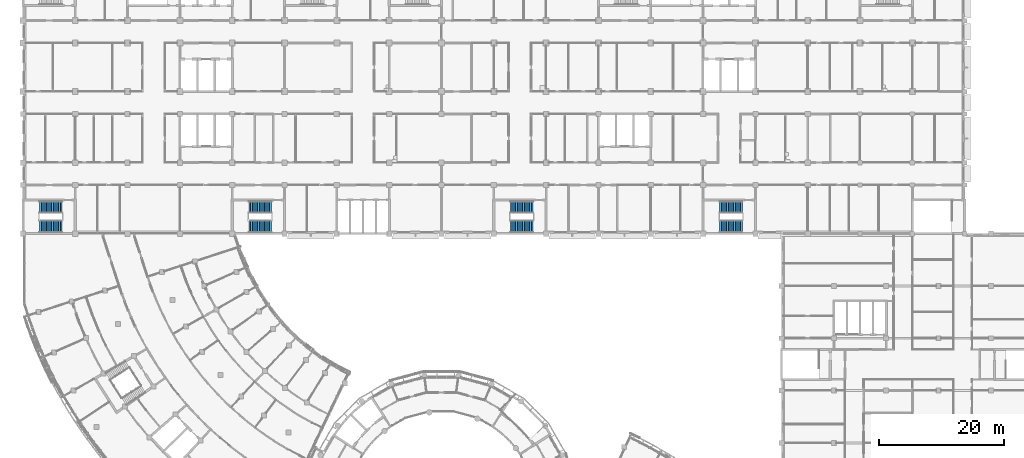
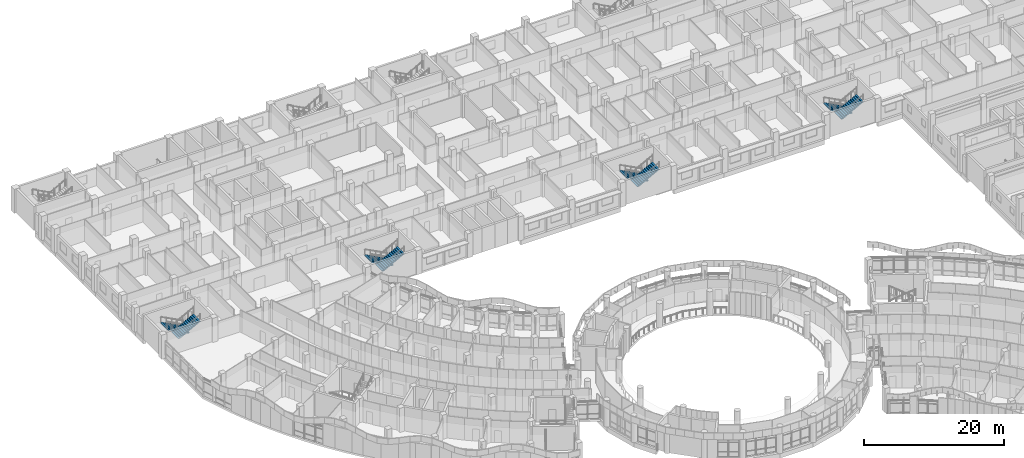
# One storey, part 77 of 109: 8 stair flights, 4 elements without a shape of their own.
"""IFC4 building model written with IfcOpenShell, lengths in metres."""

from ifc_helpers import new_model, si_unit, direction, frame, origin, place, context, subcontext, project, spatial, polyline, outline, extrude, material, type_object, element, aggregate, save


model = new_model("IFC4")

# Units and contexts
model_context = context("Model", 3, precision=1e-05, world=origin(), true_north=direction((0.0, 1.0)))
body_context = subcontext(model_context, "Body", "Model", "MODEL_VIEW")
ifc_project = project(units=[si_unit("LENGTHUNIT", "METRE"), si_unit("AREAUNIT", "SQUARE_METRE"), si_unit("VOLUMEUNIT", "CUBIC_METRE"), si_unit("PLANEANGLEUNIT", "RADIAN"), si_unit("MASSUNIT", "GRAM", prefix="KILO")], contexts=[model_context])

# Site, building, storey
site_placement = place(None, origin())
site = spatial("IfcSite", under=ifc_project, at=site_placement, CompositionType="ELEMENT")
building_placement = place(site_placement, origin())
building = spatial("IfcBuilding", under=site, at=building_placement, Name="Bougainvillea Quay General Hospital", CompositionType="ELEMENT")
storey_placement = place(building_placement, frame((0.0, 0.0, 12.60009765625)))
storey = spatial("IfcBuildingStorey", under=building, at=storey_placement, Name="L02", CompositionType="ELEMENT", Elevation=12.60009765625)

# Stair, stair flights
ifc_material = material(Name="Concrete C35", Category="concrete")
stair_type = type_object("IfcStairType", Name="Stair half-turn 1925 wide", PredefinedType="HALF_TURN_STAIR", material=ifc_material)
stair_1_placement = place(storey_placement, origin())
stair_1 = element("IfcStair", 1, at=stair_1_placement, inside=storey, type_object=stair_type, Name="L02 stair ST-B1", PredefinedType="HALF_TURN_STAIR")
stair_flight_type = type_object("IfcStairFlightType", Name="Stair flight 1925", PredefinedType="STRAIGHT", material=ifc_material)
stair_flight_1_placement = place(storey_placement, frame((48.300048828125, 121.862548828125, 0.0), z_axis=(0.0, 0.0, 1.0), x_axis=(-1.0, 0.0, 0.0)))
stair_flight_1 = element("IfcStairFlight", 2, at=stair_flight_1_placement, type_object=stair_flight_type, Name="ST-B1 flight 1", NumberOfRisers=14, NumberOfTreads=13, PredefinedType="STRAIGHT", RiserHeight=0.15, TreadLength=0.28, context=body_context, shape_type="SweptSolid", body=[
    extrude(outline(polyline([(-0.0029296875, 0.0), (-0.0029296875, 0.003662109375), (-0.0029296875, 0.00732421875), (-0.0029296875, 0.010986328125), (-0.0029296875, 0.0146484375), (-0.0029296875, 0.018310546875), (-0.0029296875, 0.02197265625), (-0.0029296875, 0.025634765625), (-0.0029296875, 0.029296875), (-0.0029296875, 0.032958984375), (-0.0029296875, 0.03662109375), (-0.0029296875, 0.040283203125), (-0.0029296875, 0.0439453125), (-0.0029296875, 0.047607421875), (-0.0029296875, 0.05126953125), (-0.0029296875, 0.054931640625), (-0.0029296875, 0.05859375), (-0.0029296875, 0.062255859375), (-0.0029296875, 0.06591796875), (-0.0029296875, 0.069580078125), (-0.0029296875, 0.0732421875), (-0.0029296875, 0.076904296875), (-0.0029296875, 0.08056640625), (-0.0029296875, 0.084228515625), (-0.0029296875, 0.087890625), (-0.0029296875, 0.091552734375), (-0.0029296875, 0.09521484375), (-0.0029296875, 0.098876953125), (-0.0029296875, 0.1025390625), (-0.0029296875, 0.106201171875), (-0.0029296875, 0.10986328125), (-0.0029296875, 0.113525390625), (-0.0029296875, 0.1171875), (-0.0029296875, 0.120849609375), (-0.0029296875, 0.12451171875), (-0.0029296875, 0.1279296875), (-0.0029296875, 0.131591796875), (-0.0029296875, 0.13525390625), (-0.0029296875, 0.138916015625), (-0.0029296875, 0.142578125), (-0.0029296875, 0.146240234375), (-0.0029296875, 0.14990234375), (0.280029296875, 0.14990234375), (0.280029296875, 0.300048828125), (0.56005859375, 0.300048828125), (0.56005859375, 0.449951171875), (0.840087890625, 0.449951171875), (0.840087890625, 0.60009765625), (1.1201171875, 0.60009765625), (1.1201171875, 0.75), (1.39990234375, 0.75), (1.39990234375, 0.89990234375), (1.679931640625, 0.89990234375), (1.679931640625, 1.050048828125), (1.9599609375, 1.050048828125), (1.9599609375, 1.199951171875), (2.239990234375, 1.199951171875), (2.239990234375, 1.35009765625), (2.52001953125, 1.35009765625), (2.52001953125, 1.5), (2.800048828125, 1.5), (2.800048828125, 1.64990234375), (3.080078125, 1.64990234375), (3.080078125, 1.800048828125), (3.360107421875, 1.800048828125), (3.360107421875, 1.949951171875), (3.64306640625, 1.949951171875), (3.64306640625, 1.94580078125), (3.64306640625, 1.941650390625), (3.64306640625, 1.9375), (3.64306640625, 1.933349609375), (3.64306640625, 1.92919921875), (3.64306640625, 1.925048828125), (3.64306640625, 1.9208984375), (3.64306640625, 1.916748046875), (3.64306640625, 1.91259765625), (3.64306640625, 1.908447265625), (3.64306640625, 1.904296875), (3.64306640625, 1.900146484375), (3.64306640625, 1.89599609375), (3.64306640625, 1.891845703125), (3.64306640625, 1.8876953125), (3.64306640625, 1.883544921875), (3.64306640625, 1.87939453125), (3.64306640625, 1.875244140625), (3.64306640625, 1.87109375), (3.64306640625, 1.866943359375), (3.64306640625, 1.86279296875), (3.64306640625, 1.858642578125), (3.64306640625, 1.8544921875), (3.64306640625, 1.850341796875), (3.64306640625, 1.84619140625), (3.64306640625, 1.842041015625), (3.64306640625, 1.837890625), (3.64306640625, 1.833984375), (3.64306640625, 1.829833984375), (3.64306640625, 1.82568359375), (3.64306640625, 1.821533203125), (3.64306640625, 1.8173828125), (3.64306640625, 1.813232421875), (3.64306640625, 1.80908203125), (3.64306640625, 1.804931640625), (3.64306640625, 1.80078125), (3.64306640625, 1.796630859375), (3.64306640625, 1.79248046875), (3.64306640625, 1.788330078125), (3.64306640625, 1.7841796875), (3.64306640625, 1.780029296875), (0.3173828125, 0.0), (-0.0029296875, 0.0)])), frame((0.0, 0.96240234375, 0.0), z_axis=(0.0, -1.0, 0.0), x_axis=(1.0, 0.0, 0.0)), (0.0, 0.0, 1.0), 1.925048828125),
])
stair_flight_2_placement = place(storey_placement, frame((44.659912109375, 118.737548828125, 2.099853515625), z_axis=(0.0, 0.0, 1.0), x_axis=(1.0, 0.0, 0.0)))
stair_flight_2 = element("IfcStairFlight", 3, at=stair_flight_2_placement, type_object=stair_flight_type, Name="ST-B1 flight 2", NumberOfRisers=14, NumberOfTreads=13, PredefinedType="STRAIGHT", RiserHeight=0.15, TreadLength=0.28, context=body_context, shape_type="SweptSolid", body=[
    extrude(outline(polyline([(-0.0029296875, 0.0), (-0.0029296875, 0.003662109375), (-0.0029296875, 0.00732421875), (-0.0029296875, 0.010986328125), (-0.0029296875, 0.0146484375), (-0.0029296875, 0.018310546875), (-0.0029296875, 0.02197265625), (-0.0029296875, 0.025634765625), (-0.0029296875, 0.029296875), (-0.0029296875, 0.032958984375), (-0.0029296875, 0.03662109375), (-0.0029296875, 0.040283203125), (-0.0029296875, 0.0439453125), (-0.0029296875, 0.047607421875), (-0.0029296875, 0.05126953125), (-0.0029296875, 0.054931640625), (-0.0029296875, 0.05859375), (-0.0029296875, 0.062255859375), (-0.0029296875, 0.06591796875), (-0.0029296875, 0.069580078125), (-0.0029296875, 0.0732421875), (-0.0029296875, 0.076904296875), (-0.0029296875, 0.08056640625), (-0.0029296875, 0.084228515625), (-0.0029296875, 0.087890625), (-0.0029296875, 0.091552734375), (-0.0029296875, 0.09521484375), (-0.0029296875, 0.098876953125), (-0.0029296875, 0.1025390625), (-0.0029296875, 0.106201171875), (-0.0029296875, 0.10986328125), (-0.0029296875, 0.113525390625), (-0.0029296875, 0.1171875), (-0.0029296875, 0.120849609375), (-0.0029296875, 0.12451171875), (-0.0029296875, 0.1279296875), (-0.0029296875, 0.131591796875), (-0.0029296875, 0.13525390625), (-0.0029296875, 0.138916015625), (-0.0029296875, 0.142578125), (-0.0029296875, 0.146240234375), (-0.0029296875, 0.14990234375), (0.280029296875, 0.14990234375), (0.280029296875, 0.300048828125), (0.56005859375, 0.300048828125), (0.56005859375, 0.449951171875), (0.840087890625, 0.449951171875), (0.840087890625, 0.60009765625), (1.1201171875, 0.60009765625), (1.1201171875, 0.75), (1.39990234375, 0.75), (1.39990234375, 0.89990234375), (1.679931640625, 0.89990234375), (1.679931640625, 1.050048828125), (1.9599609375, 1.050048828125), (1.9599609375, 1.199951171875), (2.239990234375, 1.199951171875), (2.239990234375, 1.35009765625), (2.52001953125, 1.35009765625), (2.52001953125, 1.5), (2.800048828125, 1.5), (2.800048828125, 1.64990234375), (3.080078125, 1.64990234375), (3.080078125, 1.800048828125), (3.360107421875, 1.800048828125), (3.360107421875, 1.949951171875), (3.64306640625, 1.949951171875), (3.64306640625, 1.94580078125), (3.64306640625, 1.941650390625), (3.64306640625, 1.9375), (3.64306640625, 1.933349609375), (3.64306640625, 1.92919921875), (3.64306640625, 1.925048828125), (3.64306640625, 1.9208984375), (3.64306640625, 1.916748046875), (3.64306640625, 1.91259765625), (3.64306640625, 1.908447265625), (3.64306640625, 1.904296875), (3.64306640625, 1.900146484375), (3.64306640625, 1.89599609375), (3.64306640625, 1.891845703125), (3.64306640625, 1.8876953125), (3.64306640625, 1.883544921875), (3.64306640625, 1.87939453125), (3.64306640625, 1.875244140625), (3.64306640625, 1.87109375), (3.64306640625, 1.866943359375), (3.64306640625, 1.86279296875), (3.64306640625, 1.858642578125), (3.64306640625, 1.8544921875), (3.64306640625, 1.850341796875), (3.64306640625, 1.84619140625), (3.64306640625, 1.842041015625), (3.64306640625, 1.837890625), (3.64306640625, 1.833984375), (3.64306640625, 1.829833984375), (3.64306640625, 1.82568359375), (3.64306640625, 1.821533203125), (3.64306640625, 1.8173828125), (3.64306640625, 1.813232421875), (3.64306640625, 1.80908203125), (3.64306640625, 1.804931640625), (3.64306640625, 1.80078125), (3.64306640625, 1.796630859375), (3.64306640625, 1.79248046875), (3.64306640625, 1.788330078125), (3.64306640625, 1.7841796875), (3.64306640625, 1.780029296875), (0.3173828125, 0.0), (-0.0029296875, 0.0)])), frame((0.0, 0.96240234375, 0.0), z_axis=(0.0, -1.0, 0.0), x_axis=(1.0, 0.0, 0.0)), (0.0, 0.0, 1.0), 1.925048828125),
])
aggregate(stair_1, [stair_flight_1, stair_flight_2])

stair_2_placement = place(storey_placement, origin())
stair_2 = element("IfcStair", 4, at=stair_2_placement, inside=storey, type_object=stair_type, Name="L02 stair ST-B2", PredefinedType="HALF_TURN_STAIR")
stair_flight_3_placement = place(storey_placement, frame((81.89990234375, 121.862548828125, 0.0), z_axis=(0.0, 0.0, 1.0), x_axis=(-1.0, 0.0, 0.0)))
stair_flight_3 = element("IfcStairFlight", 5, at=stair_flight_3_placement, type_object=stair_flight_type, Name="ST-B2 flight 1", NumberOfRisers=14, NumberOfTreads=13, PredefinedType="STRAIGHT", RiserHeight=0.15, TreadLength=0.28, context=body_context, shape_type="SweptSolid", body=[
    extrude(outline(polyline([(-0.0029296875, 0.0), (-0.0029296875, 0.003662109375), (-0.0029296875, 0.00732421875), (-0.0029296875, 0.010986328125), (-0.0029296875, 0.0146484375), (-0.0029296875, 0.018310546875), (-0.0029296875, 0.02197265625), (-0.0029296875, 0.025634765625), (-0.0029296875, 0.029296875), (-0.0029296875, 0.032958984375), (-0.0029296875, 0.03662109375), (-0.0029296875, 0.040283203125), (-0.0029296875, 0.0439453125), (-0.0029296875, 0.047607421875), (-0.0029296875, 0.05126953125), (-0.0029296875, 0.054931640625), (-0.0029296875, 0.05859375), (-0.0029296875, 0.062255859375), (-0.0029296875, 0.06591796875), (-0.0029296875, 0.069580078125), (-0.0029296875, 0.0732421875), (-0.0029296875, 0.076904296875), (-0.0029296875, 0.08056640625), (-0.0029296875, 0.084228515625), (-0.0029296875, 0.087890625), (-0.0029296875, 0.091552734375), (-0.0029296875, 0.09521484375), (-0.0029296875, 0.098876953125), (-0.0029296875, 0.1025390625), (-0.0029296875, 0.106201171875), (-0.0029296875, 0.10986328125), (-0.0029296875, 0.113525390625), (-0.0029296875, 0.1171875), (-0.0029296875, 0.120849609375), (-0.0029296875, 0.12451171875), (-0.0029296875, 0.1279296875), (-0.0029296875, 0.131591796875), (-0.0029296875, 0.13525390625), (-0.0029296875, 0.138916015625), (-0.0029296875, 0.142578125), (-0.0029296875, 0.146240234375), (-0.0029296875, 0.14990234375), (0.280029296875, 0.14990234375), (0.280029296875, 0.300048828125), (0.56005859375, 0.300048828125), (0.56005859375, 0.449951171875), (0.840087890625, 0.449951171875), (0.840087890625, 0.60009765625), (1.1201171875, 0.60009765625), (1.1201171875, 0.75), (1.39990234375, 0.75), (1.39990234375, 0.89990234375), (1.679931640625, 0.89990234375), (1.679931640625, 1.050048828125), (1.9599609375, 1.050048828125), (1.9599609375, 1.199951171875), (2.239990234375, 1.199951171875), (2.239990234375, 1.35009765625), (2.52001953125, 1.35009765625), (2.52001953125, 1.5), (2.800048828125, 1.5), (2.800048828125, 1.64990234375), (3.080078125, 1.64990234375), (3.080078125, 1.800048828125), (3.360107421875, 1.800048828125), (3.360107421875, 1.949951171875), (3.64306640625, 1.949951171875), (3.64306640625, 1.94580078125), (3.64306640625, 1.941650390625), (3.64306640625, 1.9375), (3.64306640625, 1.933349609375), (3.64306640625, 1.92919921875), (3.64306640625, 1.925048828125), (3.64306640625, 1.9208984375), (3.64306640625, 1.916748046875), (3.64306640625, 1.91259765625), (3.64306640625, 1.908447265625), (3.64306640625, 1.904296875), (3.64306640625, 1.900146484375), (3.64306640625, 1.89599609375), (3.64306640625, 1.891845703125), (3.64306640625, 1.8876953125), (3.64306640625, 1.883544921875), (3.64306640625, 1.87939453125), (3.64306640625, 1.875244140625), (3.64306640625, 1.87109375), (3.64306640625, 1.866943359375), (3.64306640625, 1.86279296875), (3.64306640625, 1.858642578125), (3.64306640625, 1.8544921875), (3.64306640625, 1.850341796875), (3.64306640625, 1.84619140625), (3.64306640625, 1.842041015625), (3.64306640625, 1.837890625), (3.64306640625, 1.833984375), (3.64306640625, 1.829833984375), (3.64306640625, 1.82568359375), (3.64306640625, 1.821533203125), (3.64306640625, 1.8173828125), (3.64306640625, 1.813232421875), (3.64306640625, 1.80908203125), (3.64306640625, 1.804931640625), (3.64306640625, 1.80078125), (3.64306640625, 1.796630859375), (3.64306640625, 1.79248046875), (3.64306640625, 1.788330078125), (3.64306640625, 1.7841796875), (3.64306640625, 1.780029296875), (0.3173828125, 0.0), (-0.0029296875, 0.0)])), frame((0.0, 0.96240234375, 0.0), z_axis=(0.0, -1.0, 0.0), x_axis=(1.0, 0.0, 0.0)), (0.0, 0.0, 1.0), 1.925048828125),
])
stair_flight_4_placement = place(storey_placement, frame((78.260009765625, 118.737548828125, 2.099853515625), z_axis=(0.0, 0.0, 1.0), x_axis=(1.0, 0.0, 0.0)))
stair_flight_4 = element("IfcStairFlight", 6, at=stair_flight_4_placement, type_object=stair_flight_type, Name="ST-B2 flight 2", NumberOfRisers=14, NumberOfTreads=13, PredefinedType="STRAIGHT", RiserHeight=0.15, TreadLength=0.28, context=body_context, shape_type="SweptSolid", body=[
    extrude(outline(polyline([(-0.0029296875, 0.0), (-0.0029296875, 0.003662109375), (-0.0029296875, 0.00732421875), (-0.0029296875, 0.010986328125), (-0.0029296875, 0.0146484375), (-0.0029296875, 0.018310546875), (-0.0029296875, 0.02197265625), (-0.0029296875, 0.025634765625), (-0.0029296875, 0.029296875), (-0.0029296875, 0.032958984375), (-0.0029296875, 0.03662109375), (-0.0029296875, 0.040283203125), (-0.0029296875, 0.0439453125), (-0.0029296875, 0.047607421875), (-0.0029296875, 0.05126953125), (-0.0029296875, 0.054931640625), (-0.0029296875, 0.05859375), (-0.0029296875, 0.062255859375), (-0.0029296875, 0.06591796875), (-0.0029296875, 0.069580078125), (-0.0029296875, 0.0732421875), (-0.0029296875, 0.076904296875), (-0.0029296875, 0.08056640625), (-0.0029296875, 0.084228515625), (-0.0029296875, 0.087890625), (-0.0029296875, 0.091552734375), (-0.0029296875, 0.09521484375), (-0.0029296875, 0.098876953125), (-0.0029296875, 0.1025390625), (-0.0029296875, 0.106201171875), (-0.0029296875, 0.10986328125), (-0.0029296875, 0.113525390625), (-0.0029296875, 0.1171875), (-0.0029296875, 0.120849609375), (-0.0029296875, 0.12451171875), (-0.0029296875, 0.1279296875), (-0.0029296875, 0.131591796875), (-0.0029296875, 0.13525390625), (-0.0029296875, 0.138916015625), (-0.0029296875, 0.142578125), (-0.0029296875, 0.146240234375), (-0.0029296875, 0.14990234375), (0.280029296875, 0.14990234375), (0.280029296875, 0.300048828125), (0.56005859375, 0.300048828125), (0.56005859375, 0.449951171875), (0.840087890625, 0.449951171875), (0.840087890625, 0.60009765625), (1.1201171875, 0.60009765625), (1.1201171875, 0.75), (1.39990234375, 0.75), (1.39990234375, 0.89990234375), (1.679931640625, 0.89990234375), (1.679931640625, 1.050048828125), (1.9599609375, 1.050048828125), (1.9599609375, 1.199951171875), (2.239990234375, 1.199951171875), (2.239990234375, 1.35009765625), (2.52001953125, 1.35009765625), (2.52001953125, 1.5), (2.800048828125, 1.5), (2.800048828125, 1.64990234375), (3.080078125, 1.64990234375), (3.080078125, 1.800048828125), (3.360107421875, 1.800048828125), (3.360107421875, 1.949951171875), (3.64306640625, 1.949951171875), (3.64306640625, 1.94580078125), (3.64306640625, 1.941650390625), (3.64306640625, 1.9375), (3.64306640625, 1.933349609375), (3.64306640625, 1.92919921875), (3.64306640625, 1.925048828125), (3.64306640625, 1.9208984375), (3.64306640625, 1.916748046875), (3.64306640625, 1.91259765625), (3.64306640625, 1.908447265625), (3.64306640625, 1.904296875), (3.64306640625, 1.900146484375), (3.64306640625, 1.89599609375), (3.64306640625, 1.891845703125), (3.64306640625, 1.8876953125), (3.64306640625, 1.883544921875), (3.64306640625, 1.87939453125), (3.64306640625, 1.875244140625), (3.64306640625, 1.87109375), (3.64306640625, 1.866943359375), (3.64306640625, 1.86279296875), (3.64306640625, 1.858642578125), (3.64306640625, 1.8544921875), (3.64306640625, 1.850341796875), (3.64306640625, 1.84619140625), (3.64306640625, 1.842041015625), (3.64306640625, 1.837890625), (3.64306640625, 1.833984375), (3.64306640625, 1.829833984375), (3.64306640625, 1.82568359375), (3.64306640625, 1.821533203125), (3.64306640625, 1.8173828125), (3.64306640625, 1.813232421875), (3.64306640625, 1.80908203125), (3.64306640625, 1.804931640625), (3.64306640625, 1.80078125), (3.64306640625, 1.796630859375), (3.64306640625, 1.79248046875), (3.64306640625, 1.788330078125), (3.64306640625, 1.7841796875), (3.64306640625, 1.780029296875), (0.3173828125, 0.0), (-0.0029296875, 0.0)])), frame((0.0, 0.96240234375, 0.0), z_axis=(0.0, -1.0, 0.0), x_axis=(1.0, 0.0, 0.0)), (0.0, 0.0, 1.0), 1.925048828125),
])
aggregate(stair_2, [stair_flight_3, stair_flight_4])

stair_3_placement = place(storey_placement, origin())
stair_3 = element("IfcStair", 7, at=stair_3_placement, inside=storey, type_object=stair_type, Name="L02 stair ST-B3", PredefinedType="HALF_TURN_STAIR")
stair_flight_5_placement = place(storey_placement, frame((123.89990234375, 121.862548828125, 0.0), z_axis=(0.0, 0.0, 1.0), x_axis=(-1.0, 0.0, 0.0)))
stair_flight_5 = element("IfcStairFlight", 8, at=stair_flight_5_placement, type_object=stair_flight_type, Name="ST-B3 flight 1", NumberOfRisers=14, NumberOfTreads=13, PredefinedType="STRAIGHT", RiserHeight=0.15, TreadLength=0.28, context=body_context, shape_type="SweptSolid", body=[
    extrude(outline(polyline([(-0.0029296875, 0.0), (-0.0029296875, 0.003662109375), (-0.0029296875, 0.00732421875), (-0.0029296875, 0.010986328125), (-0.0029296875, 0.0146484375), (-0.0029296875, 0.018310546875), (-0.0029296875, 0.02197265625), (-0.0029296875, 0.025634765625), (-0.0029296875, 0.029296875), (-0.0029296875, 0.032958984375), (-0.0029296875, 0.03662109375), (-0.0029296875, 0.040283203125), (-0.0029296875, 0.0439453125), (-0.0029296875, 0.047607421875), (-0.0029296875, 0.05126953125), (-0.0029296875, 0.054931640625), (-0.0029296875, 0.05859375), (-0.0029296875, 0.062255859375), (-0.0029296875, 0.06591796875), (-0.0029296875, 0.069580078125), (-0.0029296875, 0.0732421875), (-0.0029296875, 0.076904296875), (-0.0029296875, 0.08056640625), (-0.0029296875, 0.084228515625), (-0.0029296875, 0.087890625), (-0.0029296875, 0.091552734375), (-0.0029296875, 0.09521484375), (-0.0029296875, 0.098876953125), (-0.0029296875, 0.1025390625), (-0.0029296875, 0.106201171875), (-0.0029296875, 0.10986328125), (-0.0029296875, 0.113525390625), (-0.0029296875, 0.1171875), (-0.0029296875, 0.120849609375), (-0.0029296875, 0.12451171875), (-0.0029296875, 0.1279296875), (-0.0029296875, 0.131591796875), (-0.0029296875, 0.13525390625), (-0.0029296875, 0.138916015625), (-0.0029296875, 0.142578125), (-0.0029296875, 0.146240234375), (-0.0029296875, 0.14990234375), (0.280029296875, 0.14990234375), (0.280029296875, 0.300048828125), (0.56005859375, 0.300048828125), (0.56005859375, 0.449951171875), (0.840087890625, 0.449951171875), (0.840087890625, 0.60009765625), (1.1201171875, 0.60009765625), (1.1201171875, 0.75), (1.39990234375, 0.75), (1.39990234375, 0.89990234375), (1.679931640625, 0.89990234375), (1.679931640625, 1.050048828125), (1.9599609375, 1.050048828125), (1.9599609375, 1.199951171875), (2.239990234375, 1.199951171875), (2.239990234375, 1.35009765625), (2.52001953125, 1.35009765625), (2.52001953125, 1.5), (2.800048828125, 1.5), (2.800048828125, 1.64990234375), (3.080078125, 1.64990234375), (3.080078125, 1.800048828125), (3.360107421875, 1.800048828125), (3.360107421875, 1.949951171875), (3.64306640625, 1.949951171875), (3.64306640625, 1.94580078125), (3.64306640625, 1.941650390625), (3.64306640625, 1.9375), (3.64306640625, 1.933349609375), (3.64306640625, 1.92919921875), (3.64306640625, 1.925048828125), (3.64306640625, 1.9208984375), (3.64306640625, 1.916748046875), (3.64306640625, 1.91259765625), (3.64306640625, 1.908447265625), (3.64306640625, 1.904296875), (3.64306640625, 1.900146484375), (3.64306640625, 1.89599609375), (3.64306640625, 1.891845703125), (3.64306640625, 1.8876953125), (3.64306640625, 1.883544921875), (3.64306640625, 1.87939453125), (3.64306640625, 1.875244140625), (3.64306640625, 1.87109375), (3.64306640625, 1.866943359375), (3.64306640625, 1.86279296875), (3.64306640625, 1.858642578125), (3.64306640625, 1.8544921875), (3.64306640625, 1.850341796875), (3.64306640625, 1.84619140625), (3.64306640625, 1.842041015625), (3.64306640625, 1.837890625), (3.64306640625, 1.833984375), (3.64306640625, 1.829833984375), (3.64306640625, 1.82568359375), (3.64306640625, 1.821533203125), (3.64306640625, 1.8173828125), (3.64306640625, 1.813232421875), (3.64306640625, 1.80908203125), (3.64306640625, 1.804931640625), (3.64306640625, 1.80078125), (3.64306640625, 1.796630859375), (3.64306640625, 1.79248046875), (3.64306640625, 1.788330078125), (3.64306640625, 1.7841796875), (3.64306640625, 1.780029296875), (0.3173828125, 0.0), (-0.0029296875, 0.0)])), frame((0.0, 0.96240234375, 0.0), z_axis=(0.0, -1.0, 0.0), x_axis=(1.0, 0.0, 0.0)), (0.0, 0.0, 1.0), 1.925048828125),
])
stair_flight_6_placement = place(storey_placement, frame((120.260009765625, 118.737548828125, 2.099853515625), z_axis=(0.0, 0.0, 1.0), x_axis=(1.0, 0.0, 0.0)))
stair_flight_6 = element("IfcStairFlight", 9, at=stair_flight_6_placement, type_object=stair_flight_type, Name="ST-B3 flight 2", NumberOfRisers=14, NumberOfTreads=13, PredefinedType="STRAIGHT", RiserHeight=0.15, TreadLength=0.28, context=body_context, shape_type="SweptSolid", body=[
    extrude(outline(polyline([(-0.0029296875, 0.0), (-0.0029296875, 0.003662109375), (-0.0029296875, 0.00732421875), (-0.0029296875, 0.010986328125), (-0.0029296875, 0.0146484375), (-0.0029296875, 0.018310546875), (-0.0029296875, 0.02197265625), (-0.0029296875, 0.025634765625), (-0.0029296875, 0.029296875), (-0.0029296875, 0.032958984375), (-0.0029296875, 0.03662109375), (-0.0029296875, 0.040283203125), (-0.0029296875, 0.0439453125), (-0.0029296875, 0.047607421875), (-0.0029296875, 0.05126953125), (-0.0029296875, 0.054931640625), (-0.0029296875, 0.05859375), (-0.0029296875, 0.062255859375), (-0.0029296875, 0.06591796875), (-0.0029296875, 0.069580078125), (-0.0029296875, 0.0732421875), (-0.0029296875, 0.076904296875), (-0.0029296875, 0.08056640625), (-0.0029296875, 0.084228515625), (-0.0029296875, 0.087890625), (-0.0029296875, 0.091552734375), (-0.0029296875, 0.09521484375), (-0.0029296875, 0.098876953125), (-0.0029296875, 0.1025390625), (-0.0029296875, 0.106201171875), (-0.0029296875, 0.10986328125), (-0.0029296875, 0.113525390625), (-0.0029296875, 0.1171875), (-0.0029296875, 0.120849609375), (-0.0029296875, 0.12451171875), (-0.0029296875, 0.1279296875), (-0.0029296875, 0.131591796875), (-0.0029296875, 0.13525390625), (-0.0029296875, 0.138916015625), (-0.0029296875, 0.142578125), (-0.0029296875, 0.146240234375), (-0.0029296875, 0.14990234375), (0.280029296875, 0.14990234375), (0.280029296875, 0.300048828125), (0.56005859375, 0.300048828125), (0.56005859375, 0.449951171875), (0.840087890625, 0.449951171875), (0.840087890625, 0.60009765625), (1.1201171875, 0.60009765625), (1.1201171875, 0.75), (1.39990234375, 0.75), (1.39990234375, 0.89990234375), (1.679931640625, 0.89990234375), (1.679931640625, 1.050048828125), (1.9599609375, 1.050048828125), (1.9599609375, 1.199951171875), (2.239990234375, 1.199951171875), (2.239990234375, 1.35009765625), (2.52001953125, 1.35009765625), (2.52001953125, 1.5), (2.800048828125, 1.5), (2.800048828125, 1.64990234375), (3.080078125, 1.64990234375), (3.080078125, 1.800048828125), (3.360107421875, 1.800048828125), (3.360107421875, 1.949951171875), (3.64306640625, 1.949951171875), (3.64306640625, 1.94580078125), (3.64306640625, 1.941650390625), (3.64306640625, 1.9375), (3.64306640625, 1.933349609375), (3.64306640625, 1.92919921875), (3.64306640625, 1.925048828125), (3.64306640625, 1.9208984375), (3.64306640625, 1.916748046875), (3.64306640625, 1.91259765625), (3.64306640625, 1.908447265625), (3.64306640625, 1.904296875), (3.64306640625, 1.900146484375), (3.64306640625, 1.89599609375), (3.64306640625, 1.891845703125), (3.64306640625, 1.8876953125), (3.64306640625, 1.883544921875), (3.64306640625, 1.87939453125), (3.64306640625, 1.875244140625), (3.64306640625, 1.87109375), (3.64306640625, 1.866943359375), (3.64306640625, 1.86279296875), (3.64306640625, 1.858642578125), (3.64306640625, 1.8544921875), (3.64306640625, 1.850341796875), (3.64306640625, 1.84619140625), (3.64306640625, 1.842041015625), (3.64306640625, 1.837890625), (3.64306640625, 1.833984375), (3.64306640625, 1.829833984375), (3.64306640625, 1.82568359375), (3.64306640625, 1.821533203125), (3.64306640625, 1.8173828125), (3.64306640625, 1.813232421875), (3.64306640625, 1.80908203125), (3.64306640625, 1.804931640625), (3.64306640625, 1.80078125), (3.64306640625, 1.796630859375), (3.64306640625, 1.79248046875), (3.64306640625, 1.788330078125), (3.64306640625, 1.7841796875), (3.64306640625, 1.780029296875), (0.3173828125, 0.0), (-0.0029296875, 0.0)])), frame((0.0, 0.96240234375, 0.0), z_axis=(0.0, -1.0, 0.0), x_axis=(1.0, 0.0, 0.0)), (0.0, 0.0, 1.0), 1.925048828125),
])
aggregate(stair_3, [stair_flight_5, stair_flight_6])

stair_4_placement = place(storey_placement, origin())
stair_4 = element("IfcStair", 10, at=stair_4_placement, inside=storey, type_object=stair_type, Name="L02 stair ST-B4", PredefinedType="HALF_TURN_STAIR")
stair_flight_7_placement = place(storey_placement, frame((157.5, 121.862548828125, 0.0), z_axis=(0.0, 0.0, 1.0), x_axis=(-1.0, 0.0, 0.0)))
stair_flight_7 = element("IfcStairFlight", 11, at=stair_flight_7_placement, type_object=stair_flight_type, Name="ST-B4 flight 1", NumberOfRisers=14, NumberOfTreads=13, PredefinedType="STRAIGHT", RiserHeight=0.15, TreadLength=0.28, context=body_context, shape_type="SweptSolid", body=[
    extrude(outline(polyline([(-0.0029296875, 0.0), (-0.0029296875, 0.003662109375), (-0.0029296875, 0.00732421875), (-0.0029296875, 0.010986328125), (-0.0029296875, 0.0146484375), (-0.0029296875, 0.018310546875), (-0.0029296875, 0.02197265625), (-0.0029296875, 0.025634765625), (-0.0029296875, 0.029296875), (-0.0029296875, 0.032958984375), (-0.0029296875, 0.03662109375), (-0.0029296875, 0.040283203125), (-0.0029296875, 0.0439453125), (-0.0029296875, 0.047607421875), (-0.0029296875, 0.05126953125), (-0.0029296875, 0.054931640625), (-0.0029296875, 0.05859375), (-0.0029296875, 0.062255859375), (-0.0029296875, 0.06591796875), (-0.0029296875, 0.069580078125), (-0.0029296875, 0.0732421875), (-0.0029296875, 0.076904296875), (-0.0029296875, 0.08056640625), (-0.0029296875, 0.084228515625), (-0.0029296875, 0.087890625), (-0.0029296875, 0.091552734375), (-0.0029296875, 0.09521484375), (-0.0029296875, 0.098876953125), (-0.0029296875, 0.1025390625), (-0.0029296875, 0.106201171875), (-0.0029296875, 0.10986328125), (-0.0029296875, 0.113525390625), (-0.0029296875, 0.1171875), (-0.0029296875, 0.120849609375), (-0.0029296875, 0.12451171875), (-0.0029296875, 0.1279296875), (-0.0029296875, 0.131591796875), (-0.0029296875, 0.13525390625), (-0.0029296875, 0.138916015625), (-0.0029296875, 0.142578125), (-0.0029296875, 0.146240234375), (-0.0029296875, 0.14990234375), (0.280029296875, 0.14990234375), (0.280029296875, 0.300048828125), (0.56005859375, 0.300048828125), (0.56005859375, 0.449951171875), (0.840087890625, 0.449951171875), (0.840087890625, 0.60009765625), (1.1201171875, 0.60009765625), (1.1201171875, 0.75), (1.39990234375, 0.75), (1.39990234375, 0.89990234375), (1.679931640625, 0.89990234375), (1.679931640625, 1.050048828125), (1.9599609375, 1.050048828125), (1.9599609375, 1.199951171875), (2.239990234375, 1.199951171875), (2.239990234375, 1.35009765625), (2.52001953125, 1.35009765625), (2.52001953125, 1.5), (2.800048828125, 1.5), (2.800048828125, 1.64990234375), (3.080078125, 1.64990234375), (3.080078125, 1.800048828125), (3.360107421875, 1.800048828125), (3.360107421875, 1.949951171875), (3.64306640625, 1.949951171875), (3.64306640625, 1.94580078125), (3.64306640625, 1.941650390625), (3.64306640625, 1.9375), (3.64306640625, 1.933349609375), (3.64306640625, 1.92919921875), (3.64306640625, 1.925048828125), (3.64306640625, 1.9208984375), (3.64306640625, 1.916748046875), (3.64306640625, 1.91259765625), (3.64306640625, 1.908447265625), (3.64306640625, 1.904296875), (3.64306640625, 1.900146484375), (3.64306640625, 1.89599609375), (3.64306640625, 1.891845703125), (3.64306640625, 1.8876953125), (3.64306640625, 1.883544921875), (3.64306640625, 1.87939453125), (3.64306640625, 1.875244140625), (3.64306640625, 1.87109375), (3.64306640625, 1.866943359375), (3.64306640625, 1.86279296875), (3.64306640625, 1.858642578125), (3.64306640625, 1.8544921875), (3.64306640625, 1.850341796875), (3.64306640625, 1.84619140625), (3.64306640625, 1.842041015625), (3.64306640625, 1.837890625), (3.64306640625, 1.833984375), (3.64306640625, 1.829833984375), (3.64306640625, 1.82568359375), (3.64306640625, 1.821533203125), (3.64306640625, 1.8173828125), (3.64306640625, 1.813232421875), (3.64306640625, 1.80908203125), (3.64306640625, 1.804931640625), (3.64306640625, 1.80078125), (3.64306640625, 1.796630859375), (3.64306640625, 1.79248046875), (3.64306640625, 1.788330078125), (3.64306640625, 1.7841796875), (3.64306640625, 1.780029296875), (0.3173828125, 0.0), (-0.0029296875, 0.0)])), frame((0.0, 0.96240234375, 0.0), z_axis=(0.0, -1.0, 0.0), x_axis=(1.0, 0.0, 0.0)), (0.0, 0.0, 1.0), 1.925048828125),
])
stair_flight_8_placement = place(storey_placement, frame((153.860107421875, 118.737548828125, 2.099853515625), z_axis=(0.0, 0.0, 1.0), x_axis=(1.0, 0.0, 0.0)))
stair_flight_8 = element("IfcStairFlight", 12, at=stair_flight_8_placement, type_object=stair_flight_type, Name="ST-B4 flight 2", NumberOfRisers=14, NumberOfTreads=13, PredefinedType="STRAIGHT", RiserHeight=0.15, TreadLength=0.28, context=body_context, shape_type="SweptSolid", body=[
    extrude(outline(polyline([(-0.0029296875, 0.0), (-0.0029296875, 0.003662109375), (-0.0029296875, 0.00732421875), (-0.0029296875, 0.010986328125), (-0.0029296875, 0.0146484375), (-0.0029296875, 0.018310546875), (-0.0029296875, 0.02197265625), (-0.0029296875, 0.025634765625), (-0.0029296875, 0.029296875), (-0.0029296875, 0.032958984375), (-0.0029296875, 0.03662109375), (-0.0029296875, 0.040283203125), (-0.0029296875, 0.0439453125), (-0.0029296875, 0.047607421875), (-0.0029296875, 0.05126953125), (-0.0029296875, 0.054931640625), (-0.0029296875, 0.05859375), (-0.0029296875, 0.062255859375), (-0.0029296875, 0.06591796875), (-0.0029296875, 0.069580078125), (-0.0029296875, 0.0732421875), (-0.0029296875, 0.076904296875), (-0.0029296875, 0.08056640625), (-0.0029296875, 0.084228515625), (-0.0029296875, 0.087890625), (-0.0029296875, 0.091552734375), (-0.0029296875, 0.09521484375), (-0.0029296875, 0.098876953125), (-0.0029296875, 0.1025390625), (-0.0029296875, 0.106201171875), (-0.0029296875, 0.10986328125), (-0.0029296875, 0.113525390625), (-0.0029296875, 0.1171875), (-0.0029296875, 0.120849609375), (-0.0029296875, 0.12451171875), (-0.0029296875, 0.1279296875), (-0.0029296875, 0.131591796875), (-0.0029296875, 0.13525390625), (-0.0029296875, 0.138916015625), (-0.0029296875, 0.142578125), (-0.0029296875, 0.146240234375), (-0.0029296875, 0.14990234375), (0.280029296875, 0.14990234375), (0.280029296875, 0.300048828125), (0.56005859375, 0.300048828125), (0.56005859375, 0.449951171875), (0.840087890625, 0.449951171875), (0.840087890625, 0.60009765625), (1.1201171875, 0.60009765625), (1.1201171875, 0.75), (1.39990234375, 0.75), (1.39990234375, 0.89990234375), (1.679931640625, 0.89990234375), (1.679931640625, 1.050048828125), (1.9599609375, 1.050048828125), (1.9599609375, 1.199951171875), (2.239990234375, 1.199951171875), (2.239990234375, 1.35009765625), (2.52001953125, 1.35009765625), (2.52001953125, 1.5), (2.800048828125, 1.5), (2.800048828125, 1.64990234375), (3.080078125, 1.64990234375), (3.080078125, 1.800048828125), (3.360107421875, 1.800048828125), (3.360107421875, 1.949951171875), (3.64306640625, 1.949951171875), (3.64306640625, 1.94580078125), (3.64306640625, 1.941650390625), (3.64306640625, 1.9375), (3.64306640625, 1.933349609375), (3.64306640625, 1.92919921875), (3.64306640625, 1.925048828125), (3.64306640625, 1.9208984375), (3.64306640625, 1.916748046875), (3.64306640625, 1.91259765625), (3.64306640625, 1.908447265625), (3.64306640625, 1.904296875), (3.64306640625, 1.900146484375), (3.64306640625, 1.89599609375), (3.64306640625, 1.891845703125), (3.64306640625, 1.8876953125), (3.64306640625, 1.883544921875), (3.64306640625, 1.87939453125), (3.64306640625, 1.875244140625), (3.64306640625, 1.87109375), (3.64306640625, 1.866943359375), (3.64306640625, 1.86279296875), (3.64306640625, 1.858642578125), (3.64306640625, 1.8544921875), (3.64306640625, 1.850341796875), (3.64306640625, 1.84619140625), (3.64306640625, 1.842041015625), (3.64306640625, 1.837890625), (3.64306640625, 1.833984375), (3.64306640625, 1.829833984375), (3.64306640625, 1.82568359375), (3.64306640625, 1.821533203125), (3.64306640625, 1.8173828125), (3.64306640625, 1.813232421875), (3.64306640625, 1.80908203125), (3.64306640625, 1.804931640625), (3.64306640625, 1.80078125), (3.64306640625, 1.796630859375), (3.64306640625, 1.79248046875), (3.64306640625, 1.788330078125), (3.64306640625, 1.7841796875), (3.64306640625, 1.780029296875), (0.3173828125, 0.0), (-0.0029296875, 0.0)])), frame((0.0, 0.96240234375, 0.0), z_axis=(0.0, -1.0, 0.0), x_axis=(1.0, 0.0, 0.0)), (0.0, 0.0, 1.0), 1.925048828125),
])
aggregate(stair_4, [stair_flight_7, stair_flight_8])

save(model, "model.ifc")
